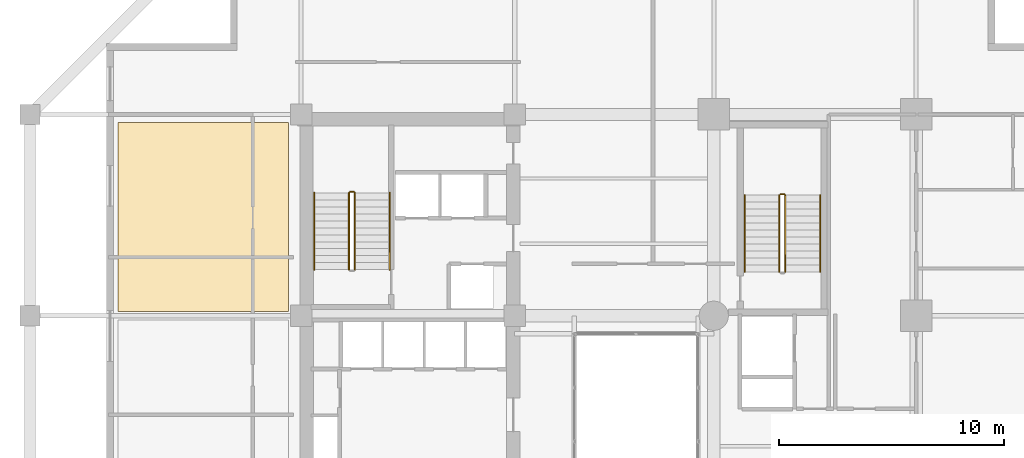
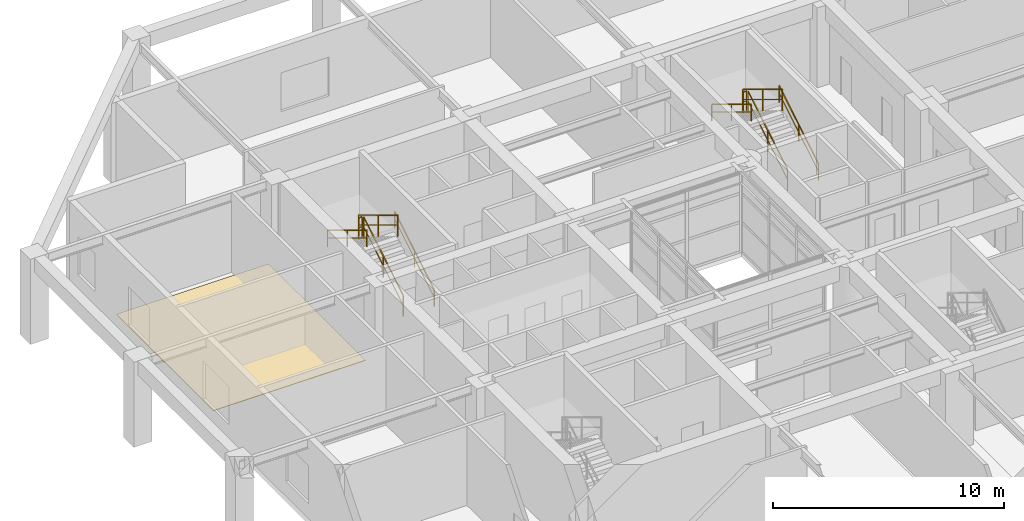
# One storey, part 13 of 13: 10 railings, 1 covering.
"""IFC4 building model written with IfcOpenShell, lengths in metres."""

from ifc_helpers import new_model, si_unit, direction, frame, origin, origin_2d, place, context, subcontext, project, spatial, polyline, rectangle, outline, extrude, material, layer, layer_set, type_object, element, save


model = new_model("IFC4")

# Units and contexts
model_context = context("Model", 3, precision=1e-05, world=origin(), true_north=direction((0.0, 1.0)))
body_context = subcontext(model_context, "Body", "Model", "MODEL_VIEW")
ifc_project = project(units=[si_unit("LENGTHUNIT", "METRE"), si_unit("AREAUNIT", "SQUARE_METRE"), si_unit("VOLUMEUNIT", "CUBIC_METRE"), si_unit("PLANEANGLEUNIT", "RADIAN"), si_unit("MASSUNIT", "GRAM", prefix="KILO")], contexts=[model_context])

# Site, building, storey
site_placement = place(None, origin())
site = spatial("IfcSite", under=ifc_project, at=site_placement, CompositionType="ELEMENT")
building_placement = place(site_placement, origin())
building = spatial("IfcBuilding", under=site, at=building_placement, Name="Kundavana Baori Tower", CompositionType="ELEMENT")
storey_placement = place(building_placement, frame((0.0, 0.0, 17.0)))
storey = spatial("IfcBuildingStorey", under=building, at=storey_placement, Name="L03", CompositionType="ELEMENT", Elevation=17.0)

# Covering
ifc_material_1 = material(Name="Honed Kota Stone and Terrazzo Flooring", Category="masonry")
ifc_layer = layer(ifc_material_1, 0.030029296875, Name="COV-INT-FLR")
ifc_layer_set = layer_set([ifc_layer], Name="Honed Kota Stone and Terrazzo Flooring")
covering_type = type_object("IfcCoveringType", Name="COV-INT-FLR", PredefinedType="FLOORING", material=ifc_layer_set)
covering_placement = place(storey_placement, origin())
element("IfcCovering", 1, at=covering_placement, inside=storey, type_object=covering_type, Name="L03 Room Finished Stone Flooring 3", PredefinedType="FLOORING", context=body_context, shape_type="SweptSolid", body=[
    extrude(outline(polyline([(7.300048828125, 33.199951171875), (14.89990234375, 33.199951171875), (14.89990234375, 41.60009765625), (7.300048828125, 41.60009765625), (7.300048828125, 33.199951171875)])), origin(), (0.0, 0.0, 1.0), 0.030029296875),
])

# Railings
ifc_material_2 = material(Name="Architectural Patinated Bronze Metalwork")
railing_type_1 = type_object("IfcRailingType", Name="RL-GRD-1150", PredefinedType="GUARDRAIL", material=ifc_material_2)
railing_1_placement = place(storey_placement, frame((17.840087890625, 35.050048828125, 0.1875)))
element("IfcRailing", 2, at=railing_1_placement, inside=storey, type_object=railing_type_1, Name="L03 ST2 stair guard 1", PredefinedType="GUARDRAIL", context=body_context, shape_type="SweptSolid", body=[
    extrude(rectangle(XDim=0.048095703125, YDim=0.048095703125, at=origin_2d()), frame((0.0, 0.0, 1.1259765625), z_axis=(0.0, 0.855655013707, 0.517546613861), x_axis=(-1.0, 0.0, 0.0)), (0.0, 0.0, 1.0), 3.985107421875),
    extrude(rectangle(XDim=0.03125, YDim=0.03125, at=origin_2d()), frame((0.0, 0.0, 0.597900390625), z_axis=(0.0, 0.855655013707, 0.517546613861), x_axis=(-1.0, 0.0, 0.0)), (0.0, 0.0, 1.0), 3.985107421875),
    extrude(rectangle(XDim=0.0419921875, YDim=0.0419921875, at=origin_2d()), origin(), (0.0, 0.0, 1.0), 1.101806640625),
    extrude(rectangle(XDim=0.0419921875, YDim=0.0419921875, at=origin_2d()), frame((0.0, 1.705078125, 1.03125)), (0.0, 0.0, 1.0), 1.101806640625),
    extrude(rectangle(XDim=0.0419921875, YDim=0.0419921875, at=origin_2d()), frame((0.0, 3.409912109375, 2.0625)), (0.0, 0.0, 1.0), 1.101806640625),
])
railing_2_placement = place(storey_placement, frame((17.7900390625, 38.510009765625, 2.25)))
element("IfcRailing", 3, at=railing_2_placement, inside=storey, type_object=railing_type_1, Name="L03 ST2 stair guard 2", PredefinedType="GUARDRAIL", context=body_context, shape_type="SweptSolid", body=[
    extrude(rectangle(XDim=0.048095703125, YDim=0.048095703125, at=origin_2d()), frame((0.0, 0.0, 1.1259765625), z_axis=(-1.0, 0.0, 0.0), x_axis=(0.0, -1.0, 0.0)), (0.0, 0.0, 1.0), 0.16015625),
    extrude(rectangle(XDim=0.03125, YDim=0.03125, at=origin_2d()), frame((0.0, 0.0, 0.597900390625), z_axis=(-1.0, 0.0, 0.0), x_axis=(0.0, -1.0, 0.0)), (0.0, 0.0, 1.0), 0.16015625),
    extrude(rectangle(XDim=0.0419921875, YDim=0.0419921875, at=origin_2d()), origin(), (0.0, 0.0, 1.0), 1.101806640625),
    extrude(rectangle(XDim=0.0419921875, YDim=0.0419921875, at=origin_2d()), frame((-0.16015625, 0.0, 0.0)), (0.0, 0.0, 1.0), 1.101806640625),
])
railing_3_placement = place(storey_placement, frame((17.580078125, 38.4599609375, 2.4375)))
element("IfcRailing", 4, at=railing_3_placement, inside=storey, type_object=railing_type_1, Name="L03 ST2 stair guard 3", PredefinedType="GUARDRAIL", context=body_context, shape_type="SweptSolid", body=[
    extrude(rectangle(XDim=0.048095703125, YDim=0.048095703125, at=origin_2d()), frame((0.0, 0.0, 1.1259765625), z_axis=(0.0, -0.855655013707, 0.517546613861), x_axis=(1.0, 0.0, 0.0)), (0.0, 0.0, 1.0), 3.985107421875),
    extrude(rectangle(XDim=0.03125, YDim=0.03125, at=origin_2d()), frame((0.0, 0.0, 0.597900390625), z_axis=(0.0, -0.855655013707, 0.517546613861), x_axis=(1.0, 0.0, 0.0)), (0.0, 0.0, 1.0), 3.985107421875),
    extrude(rectangle(XDim=0.0419921875, YDim=0.0419921875, at=origin_2d()), origin(), (0.0, 0.0, 1.0), 1.101806640625),
    extrude(rectangle(XDim=0.0419921875, YDim=0.0419921875, at=origin_2d()), frame((0.0, -1.705078125, 1.03125)), (0.0, 0.0, 1.0), 1.101806640625),
    extrude(rectangle(XDim=0.0419921875, YDim=0.0419921875, at=origin_2d()), frame((0.0, -3.409912109375, 2.0625)), (0.0, 0.0, 1.0), 1.101806640625),
])
railing_4_placement = place(storey_placement, frame((36.97998046875, 34.949951171875, 0.1875)))
element("IfcRailing", 5, at=railing_4_placement, inside=storey, type_object=railing_type_1, Name="L03 ST3 stair guard 1", PredefinedType="GUARDRAIL", context=body_context, shape_type="SweptSolid", body=[
    extrude(rectangle(XDim=0.048095703125, YDim=0.048095703125, at=origin_2d()), frame((0.0, 0.0, 1.1259765625), z_axis=(0.0, 0.855671421885, 0.517519485401), x_axis=(-1.0, 0.0, 0.0)), (0.0, 0.0, 1.0), 3.9853515625),
    extrude(rectangle(XDim=0.03125, YDim=0.03125, at=origin_2d()), frame((0.0, 0.0, 0.597900390625), z_axis=(0.0, 0.855671421885, 0.517519485401), x_axis=(-1.0, 0.0, 0.0)), (0.0, 0.0, 1.0), 3.9853515625),
    extrude(rectangle(XDim=0.0419921875, YDim=0.0419921875, at=origin_2d()), origin(), (0.0, 0.0, 1.0), 1.101806640625),
    extrude(rectangle(XDim=0.0419921875, YDim=0.0419921875, at=origin_2d()), frame((0.0, 1.705078125, 1.03125)), (0.0, 0.0, 1.0), 1.101806640625),
    extrude(rectangle(XDim=0.0419921875, YDim=0.0419921875, at=origin_2d()), frame((0.0, 3.41015625, 2.0625)), (0.0, 0.0, 1.0), 1.101806640625),
])
railing_5_placement = place(storey_placement, frame((36.929931640625, 38.409912109375, 2.25)))
element("IfcRailing", 6, at=railing_5_placement, inside=storey, type_object=railing_type_1, Name="L03 ST3 stair guard 2", PredefinedType="GUARDRAIL", context=body_context, shape_type="SweptSolid", body=[
    extrude(rectangle(XDim=0.048095703125, YDim=0.048095703125, at=origin_2d()), frame((0.0, 0.0, 1.1259765625), z_axis=(-1.0, 0.0, 0.0), x_axis=(0.0, -1.0, 0.0)), (0.0, 0.0, 1.0), 0.159912109375),
    extrude(rectangle(XDim=0.03125, YDim=0.03125, at=origin_2d()), frame((0.0, 0.0, 0.597900390625), z_axis=(-1.0, 0.0, 0.0), x_axis=(0.0, -1.0, 0.0)), (0.0, 0.0, 1.0), 0.159912109375),
    extrude(rectangle(XDim=0.0419921875, YDim=0.0419921875, at=origin_2d()), origin(), (0.0, 0.0, 1.0), 1.101806640625),
    extrude(rectangle(XDim=0.0419921875, YDim=0.0419921875, at=origin_2d()), frame((-0.159912109375, 0.0, 0.0)), (0.0, 0.0, 1.0), 1.101806640625),
])
railing_6_placement = place(storey_placement, frame((36.719970703125, 38.360107421875, 2.4375)))
element("IfcRailing", 7, at=railing_6_placement, inside=storey, type_object=railing_type_1, Name="L03 ST3 stair guard 3", PredefinedType="GUARDRAIL", context=body_context, shape_type="SweptSolid", body=[
    extrude(rectangle(XDim=0.048095703125, YDim=0.048095703125, at=origin_2d()), frame((0.0, 0.0, 1.1259765625), z_axis=(0.0, -0.855671421885, 0.517519485401), x_axis=(1.0, 0.0, 0.0)), (0.0, 0.0, 1.0), 3.9853515625),
    extrude(rectangle(XDim=0.03125, YDim=0.03125, at=origin_2d()), frame((0.0, 0.0, 0.597900390625), z_axis=(0.0, -0.855671421885, 0.517519485401), x_axis=(1.0, 0.0, 0.0)), (0.0, 0.0, 1.0), 3.9853515625),
    extrude(rectangle(XDim=0.0419921875, YDim=0.0419921875, at=origin_2d()), origin(), (0.0, 0.0, 1.0), 1.101806640625),
    extrude(rectangle(XDim=0.0419921875, YDim=0.0419921875, at=origin_2d()), frame((0.0, -1.705078125, 1.03125)), (0.0, 0.0, 1.0), 1.101806640625),
    extrude(rectangle(XDim=0.0419921875, YDim=0.0419921875, at=origin_2d()), frame((0.0, -3.41015625, 2.0625)), (0.0, 0.0, 1.0), 1.101806640625),
])
ifc_material_3 = material(Name="Architectural Patinated Bronze Metalwork")
railing_type_2 = type_object("IfcRailingType", Name="RL-HND-920", PredefinedType="HANDRAIL", material=ifc_material_3)
railing_7_placement = place(storey_placement, frame((19.389892578125, 35.050048828125, 0.1875)))
element("IfcRailing", 8, at=railing_7_placement, inside=storey, type_object=railing_type_2, Name="L03 ST2 stair handrail 1", PredefinedType="HANDRAIL", context=body_context, shape_type="SweptSolid", body=[
    extrude(rectangle(XDim=0.048095703125, YDim=0.048095703125, at=origin_2d()), frame((0.0, 0.0, 0.8759765625), z_axis=(0.0, 0.855655013707, 0.517546613861), x_axis=(-1.0, 0.0, 0.0)), (0.0, 0.0, 1.0), 3.985107421875),
    extrude(rectangle(XDim=0.03125, YDim=0.03125, at=origin_2d()), frame((0.0, 0.0, 0.468017578125), z_axis=(0.0, 0.855655013707, 0.517546613861), x_axis=(-1.0, 0.0, 0.0)), (0.0, 0.0, 1.0), 3.985107421875),
    extrude(rectangle(XDim=0.0419921875, YDim=0.0419921875, at=origin_2d()), origin(), (0.0, 0.0, 1.0), 0.851806640625),
    extrude(rectangle(XDim=0.0419921875, YDim=0.0419921875, at=origin_2d()), frame((0.0, 1.705078125, 1.03125)), (0.0, 0.0, 1.0), 0.851806640625),
    extrude(rectangle(XDim=0.0419921875, YDim=0.0419921875, at=origin_2d()), frame((0.0, 3.409912109375, 2.0625)), (0.0, 0.0, 1.0), 0.851806640625),
])
railing_8_placement = place(storey_placement, frame((16.030029296875, 38.4599609375, 2.4375)))
element("IfcRailing", 9, at=railing_8_placement, inside=storey, type_object=railing_type_2, Name="L03 ST2 stair handrail 2", PredefinedType="HANDRAIL", context=body_context, shape_type="SweptSolid", body=[
    extrude(rectangle(XDim=0.048095703125, YDim=0.048095703125, at=origin_2d()), frame((0.0, 0.0, 0.8759765625), z_axis=(0.0, -0.855655013707, 0.517546613861), x_axis=(1.0, 0.0, 0.0)), (0.0, 0.0, 1.0), 3.985107421875),
    extrude(rectangle(XDim=0.03125, YDim=0.03125, at=origin_2d()), frame((0.0, 0.0, 0.468017578125), z_axis=(0.0, -0.855655013707, 0.517546613861), x_axis=(1.0, 0.0, 0.0)), (0.0, 0.0, 1.0), 3.985107421875),
    extrude(rectangle(XDim=0.0419921875, YDim=0.0419921875, at=origin_2d()), origin(), (0.0, 0.0, 1.0), 0.851806640625),
    extrude(rectangle(XDim=0.0419921875, YDim=0.0419921875, at=origin_2d()), frame((0.0, -1.705078125, 1.03125)), (0.0, 0.0, 1.0), 0.851806640625),
    extrude(rectangle(XDim=0.0419921875, YDim=0.0419921875, at=origin_2d()), frame((0.0, -3.409912109375, 2.0625)), (0.0, 0.0, 1.0), 0.851806640625),
])
railing_9_placement = place(storey_placement, frame((38.530029296875, 34.949951171875, 0.1875)))
element("IfcRailing", 10, at=railing_9_placement, inside=storey, type_object=railing_type_2, Name="L03 ST3 stair handrail 1", PredefinedType="HANDRAIL", context=body_context, shape_type="SweptSolid", body=[
    extrude(rectangle(XDim=0.048095703125, YDim=0.048095703125, at=origin_2d()), frame((0.0, 0.0, 0.8759765625), z_axis=(0.0, 0.855671421885, 0.517519485401), x_axis=(-1.0, 0.0, 0.0)), (0.0, 0.0, 1.0), 3.9853515625),
    extrude(rectangle(XDim=0.03125, YDim=0.03125, at=origin_2d()), frame((0.0, 0.0, 0.468017578125), z_axis=(0.0, 0.855671421885, 0.517519485401), x_axis=(-1.0, 0.0, 0.0)), (0.0, 0.0, 1.0), 3.9853515625),
    extrude(rectangle(XDim=0.0419921875, YDim=0.0419921875, at=origin_2d()), origin(), (0.0, 0.0, 1.0), 0.851806640625),
    extrude(rectangle(XDim=0.0419921875, YDim=0.0419921875, at=origin_2d()), frame((0.0, 1.705078125, 1.03125)), (0.0, 0.0, 1.0), 0.851806640625),
    extrude(rectangle(XDim=0.0419921875, YDim=0.0419921875, at=origin_2d()), frame((0.0, 3.41015625, 2.0625)), (0.0, 0.0, 1.0), 0.851806640625),
])
railing_10_placement = place(storey_placement, frame((35.169921875, 38.360107421875, 2.4375)))
element("IfcRailing", 11, at=railing_10_placement, inside=storey, type_object=railing_type_2, Name="L03 ST3 stair handrail 2", PredefinedType="HANDRAIL", context=body_context, shape_type="SweptSolid", body=[
    extrude(rectangle(XDim=0.048095703125, YDim=0.048095703125, at=origin_2d()), frame((0.0, 0.0, 0.8759765625), z_axis=(0.0, -0.855671421885, 0.517519485401), x_axis=(1.0, 0.0, 0.0)), (0.0, 0.0, 1.0), 3.9853515625),
    extrude(rectangle(XDim=0.03125, YDim=0.03125, at=origin_2d()), frame((0.0, 0.0, 0.468017578125), z_axis=(0.0, -0.855671421885, 0.517519485401), x_axis=(1.0, 0.0, 0.0)), (0.0, 0.0, 1.0), 3.9853515625),
    extrude(rectangle(XDim=0.0419921875, YDim=0.0419921875, at=origin_2d()), origin(), (0.0, 0.0, 1.0), 0.851806640625),
    extrude(rectangle(XDim=0.0419921875, YDim=0.0419921875, at=origin_2d()), frame((0.0, -1.705078125, 1.03125)), (0.0, 0.0, 1.0), 0.851806640625),
    extrude(rectangle(XDim=0.0419921875, YDim=0.0419921875, at=origin_2d()), frame((0.0, -3.41015625, 2.0625)), (0.0, 0.0, 1.0), 0.851806640625),
])

save(model, "model.ifc")
